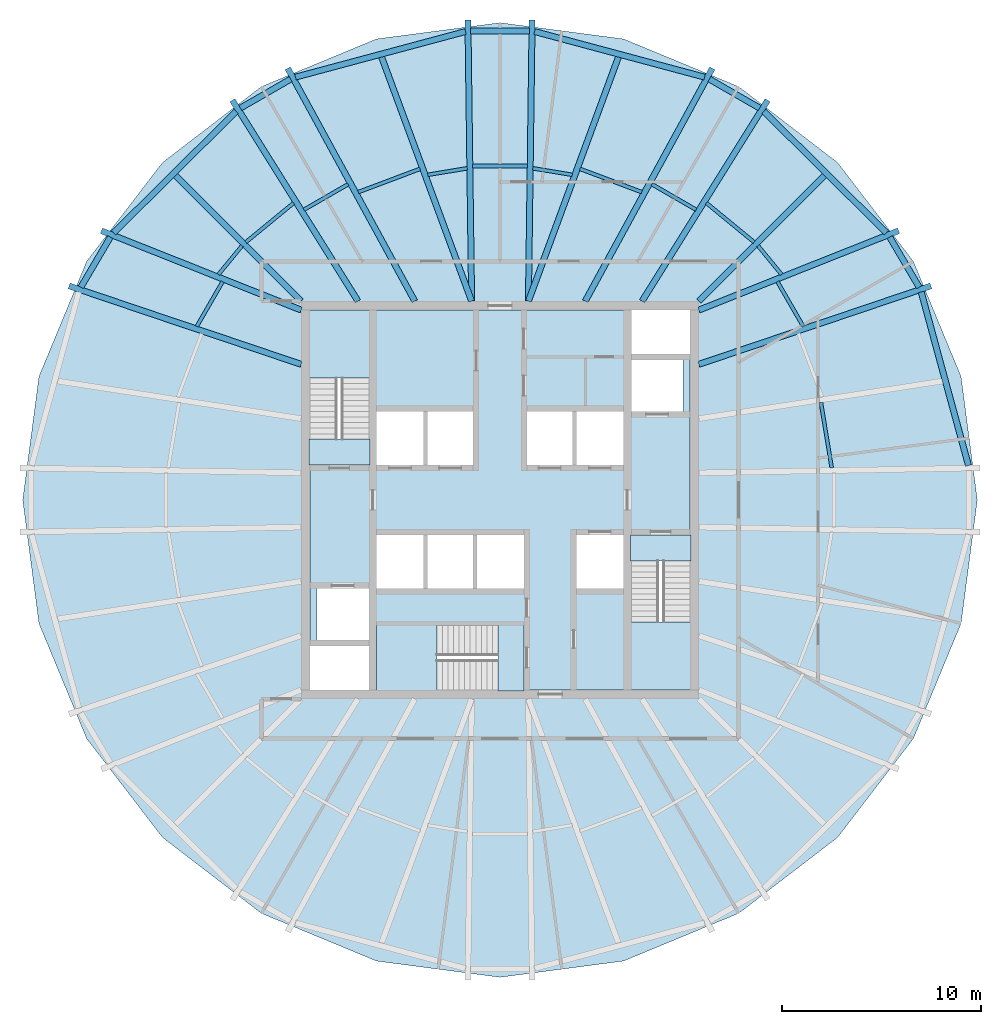
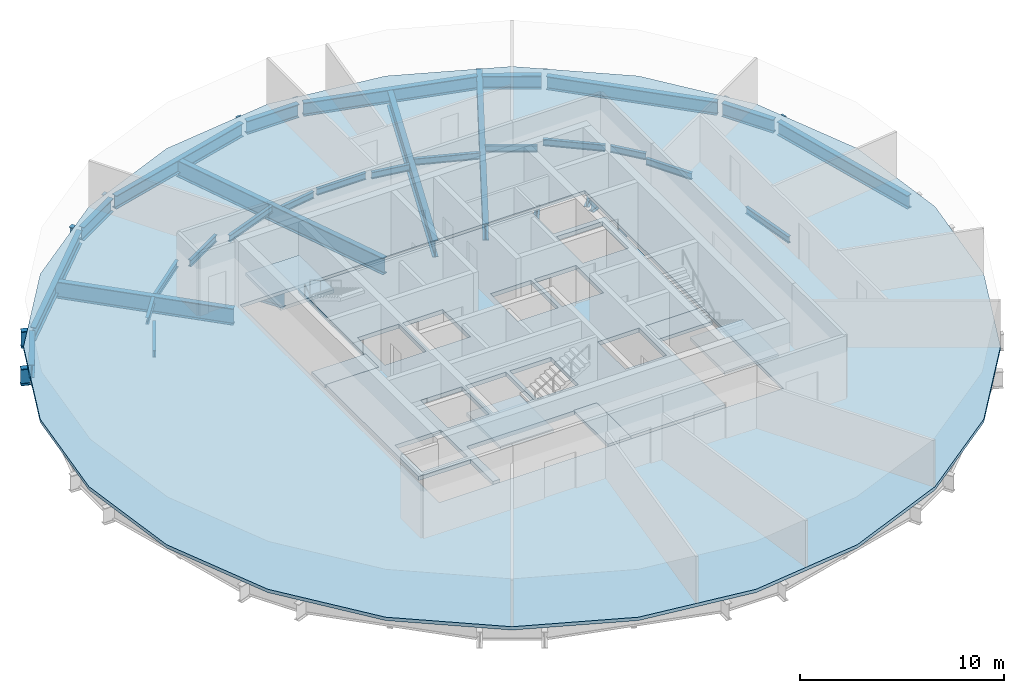
# One storey, part 2 of 6: 38 beams, 8 slabs, 3 elements without a shape of their own.
"""IFC4 building model written with IfcOpenShell, lengths in metres."""

from ifc_helpers import new_model, si_unit, direction, frame, origin, origin_2d, place, context, subcontext, project, spatial, polyline, i_section, outline, extrude, material, layer, layer_set, material_profile, profile_set, type_object, element, aggregate, save


model = new_model("IFC4")

# Units and contexts
model_context = context("Model", 3, precision=1e-05, world=origin(), true_north=direction((0.0, 1.0)))
body_context = subcontext(model_context, "Body", "Model", "MODEL_VIEW")
ifc_project = project(units=[si_unit("LENGTHUNIT", "METRE"), si_unit("AREAUNIT", "SQUARE_METRE"), si_unit("VOLUMEUNIT", "CUBIC_METRE"), si_unit("PLANEANGLEUNIT", "RADIAN"), si_unit("MASSUNIT", "GRAM", prefix="KILO")], contexts=[model_context])

# Site, building, storey
site_placement = place(None, origin())
site = spatial("IfcSite", under=ifc_project, at=site_placement, CompositionType="ELEMENT")
building_placement = place(site_placement, origin())
building = spatial("IfcBuilding", under=site, at=building_placement, Name="Golbaran Civic Tower", CompositionType="ELEMENT")
storey_placement = place(building_placement, frame((0.0, 0.0, 179.0)))
storey = spatial("IfcBuildingStorey", under=building, at=storey_placement, Name="L43", CompositionType="ELEMENT", Elevation=179.0)

# Beams
ifc_material_1 = material(Name="Steel S355", Category="steel")
ifc_material_profile_1 = material_profile(ifc_material_1, i_section(OverallWidth=0.300048828125, OverallDepth=0.800048828125, WebThickness=0.017578125, FlangeThickness=0.032958984375, FilletRadius=0.030029296875, at=origin_2d()), Name="HEB 800")
ifc_profile_set_1 = profile_set([ifc_material_profile_1], Name="Steel S355")
beam_type_1 = type_object("IfcBeamType", Name="EDGE BEAM HEB 800", PredefinedType="BEAM", material=ifc_profile_set_1)
beam_1_placement = place(storey_placement, frame((23.557373046875, 1.73193359375, -0.60009765625), z_axis=(-0.262877631047, 0.96482918234, 0.0), x_axis=(-0.96482918234, -0.262877631047, 0.0)))
element("IfcBeam", 1, at=beam_1_placement, inside=storey, type_object=beam_type_1, Name="Edge beam 3.76 L43", PredefinedType="BEAM", context=body_context, shape_type="SweptSolid", body=[
    extrude(i_section(OverallWidth=0.300048828125, OverallDepth=0.800048828125, WebThickness=0.017578125, FlangeThickness=0.032958984375, FilletRadius=0.030029296875, at=origin_2d()), origin(), (0.0, 0.0, 1.0), 9.046630859375),
])
beam_2_placement = place(storey_placement, frame((21.07763671875, 10.700439453125, -0.60009765625), z_axis=(-0.506888784993, 0.862011461436, 0.0), x_axis=(-0.862011461436, -0.506888784993, 0.0)))
element("IfcBeam", 2, at=beam_2_placement, inside=storey, type_object=beam_type_1, Name="Edge beam 26.24 L43", PredefinedType="BEAM", context=body_context, shape_type="SweptSolid", body=[
    extrude(i_section(OverallWidth=0.300048828125, OverallDepth=0.800048828125, WebThickness=0.017578125, FlangeThickness=0.032958984375, FilletRadius=0.030029296875, at=origin_2d()), origin(), (0.0, 0.0, 1.0), 2.924560546875),
])
beam_3_placement = place(storey_placement, frame((19.427734375, 13.4345703125, -0.60009765625), z_axis=(-0.710095375791, 0.704105501527, 0.0), x_axis=(-0.704105501527, -0.710095375791, 0.0)))
element("IfcBeam", 3, at=beam_3_placement, inside=storey, type_object=beam_type_1, Name="Edge beam 33.76 L43", PredefinedType="BEAM", context=body_context, shape_type="SweptSolid", body=[
    extrude(i_section(OverallWidth=0.300048828125, OverallDepth=0.800048828125, WebThickness=0.017578125, FlangeThickness=0.032958984375, FilletRadius=0.030029296875, at=origin_2d()), origin(), (0.0, 0.0, 1.0), 8.681640625),
])
beam_4_placement = place(storey_placement, frame((13.0556640625, 19.706298828125, -0.60009765625), z_axis=(-0.866150770272, 0.49978279598, 0.0), x_axis=(-0.49978279598, -0.866150770272, 0.0)))
element("IfcBeam", 4, at=beam_4_placement, inside=storey, type_object=beam_type_1, Name="Edge beam 56.24 L43", PredefinedType="BEAM", context=body_context, shape_type="SweptSolid", body=[
    extrude(i_section(OverallWidth=0.300048828125, OverallDepth=0.800048828125, WebThickness=0.017578125, FlangeThickness=0.032958984375, FilletRadius=0.030029296875, at=origin_2d()), origin(), (0.0, 0.0, 1.0), 2.918701171875),
])
beam_5_placement = place(storey_placement, frame((10.28564453125, 21.2646484375, -0.60009765625), z_axis=(-0.965860346356, 0.259063296007, 0.0), x_axis=(-0.259063296007, -0.965860346356, 0.0)))
element("IfcBeam", 5, at=beam_5_placement, inside=storey, type_object=beam_type_1, Name="Edge beam 63.76 L43", PredefinedType="BEAM", context=body_context, shape_type="SweptSolid", body=[
    extrude(i_section(OverallWidth=0.300048828125, OverallDepth=0.800048828125, WebThickness=0.017578125, FlangeThickness=0.032958984375, FilletRadius=0.030029296875, at=origin_2d()), origin(), (0.0, 0.0, 1.0), 8.85107421875),
])
beam_6_placement = place(storey_placement, frame((1.477294921875, 23.59228515625, -0.60009765625), z_axis=(-1.0, 0.0, 0.0), x_axis=(0.0, -1.0, 0.0)))
element("IfcBeam", 6, at=beam_6_placement, inside=storey, type_object=beam_type_1, Name="Edge beam 86.24 L43", PredefinedType="BEAM", context=body_context, shape_type="SweptSolid", body=[
    extrude(i_section(OverallWidth=0.300048828125, OverallDepth=0.800048828125, WebThickness=0.017578125, FlangeThickness=0.032958984375, FilletRadius=0.030029296875, at=origin_2d()), origin(), (0.0, 0.0, 1.0), 2.95458984375),
])
beam_7_placement = place(storey_placement, frame((-1.73681640625, 23.5576171875, -0.60009765625), z_axis=(-0.965860346356, -0.259063296007, 0.0), x_axis=(0.259063296007, -0.965860346356, 0.0)))
element("IfcBeam", 7, at=beam_7_placement, inside=storey, type_object=beam_type_1, Name="Edge beam 93.76 L43", PredefinedType="BEAM", context=body_context, shape_type="SweptSolid", body=[
    extrude(i_section(OverallWidth=0.300048828125, OverallDepth=0.800048828125, WebThickness=0.017578125, FlangeThickness=0.032958984375, FilletRadius=0.030029296875, at=origin_2d()), origin(), (0.0, 0.0, 1.0), 8.85107421875),
])
beam_8_placement = place(storey_placement, frame((-10.527587890625, 21.1650390625, -0.60009765625), z_axis=(-0.866150770272, -0.49978279598, 0.0), x_axis=(0.49978279598, -0.866150770272, 0.0)))
element("IfcBeam", 8, at=beam_8_placement, inside=storey, type_object=beam_type_1, Name="Edge beam 116.24 L43", PredefinedType="BEAM", context=body_context, shape_type="SweptSolid", body=[
    extrude(i_section(OverallWidth=0.300048828125, OverallDepth=0.800048828125, WebThickness=0.017578125, FlangeThickness=0.032958984375, FilletRadius=0.030029296875, at=origin_2d()), origin(), (0.0, 0.0, 1.0), 2.918701171875),
])
beam_9_placement = place(storey_placement, frame((-13.262939453125, 19.54736328125, -0.60009765625), z_axis=(-0.710095375791, -0.704105501527, 0.0), x_axis=(0.704105501527, -0.710095375791, 0.0)))
element("IfcBeam", 9, at=beam_9_placement, inside=storey, type_object=beam_type_1, Name="Edge beam 123.76 L43", PredefinedType="BEAM", context=body_context, shape_type="SweptSolid", body=[
    extrude(i_section(OverallWidth=0.300048828125, OverallDepth=0.800048828125, WebThickness=0.017578125, FlangeThickness=0.032958984375, FilletRadius=0.030029296875, at=origin_2d()), origin(), (0.0, 0.0, 1.0), 8.681640625),
])
beam_10_placement = place(storey_placement, frame((-19.59521484375, 13.221435546875, -0.60009765625), z_axis=(-0.506888784993, -0.862011461436, 0.0), x_axis=(0.862011461436, -0.506888784993, 0.0)))
element("IfcBeam", 10, at=beam_10_placement, inside=storey, type_object=beam_type_1, Name="Edge beam 146.24 L43", PredefinedType="BEAM", context=body_context, shape_type="SweptSolid", body=[
    extrude(i_section(OverallWidth=0.300048828125, OverallDepth=0.800048828125, WebThickness=0.017578125, FlangeThickness=0.032958984375, FilletRadius=0.030029296875, at=origin_2d()), origin(), (0.0, 0.0, 1.0), 2.924560546875),
])
ifc_material_profile_2 = material_profile(ifc_material_1, i_section(OverallWidth=0.179931640625, OverallDepth=0.39990234375, WebThickness=0.008544921875, FlangeThickness=0.013427734375, FilletRadius=0.02099609375, at=origin_2d()), Name="IPE 400")
ifc_profile_set_2 = profile_set([ifc_material_profile_2], Name="Steel S355")
beam_type_2 = type_object("IfcBeamType", Name="FLOOR INFILL BEAM IPE 400", PredefinedType="BEAM", material=ifc_profile_set_2)
beam_11_placement = place(storey_placement, frame((16.68115234375, 1.611328125, -0.39990234375), z_axis=(-0.162964258479, 0.986631973158, 0.0), x_axis=(-0.986631973158, -0.162964258479, 0.0)))
element("IfcBeam", 11, at=beam_11_placement, inside=storey, type_object=beam_type_2, Name="Infill beam 9.38 L43", PredefinedType="BEAM", context=body_context, shape_type="SweptSolid", body=[
    extrude(i_section(OverallWidth=0.179931640625, OverallDepth=0.39990234375, WebThickness=0.008544921875, FlangeThickness=0.013427734375, FilletRadius=0.02099609375, at=origin_2d()), origin(), (0.0, 0.0, 1.0), 3.33935546875),
])
beam_12_placement = place(storey_placement, frame((15.24755859375, 8.731201171875, -0.39990234375), z_axis=(-0.499953160165, 0.866052445087, 0.0), x_axis=(-0.866052445087, -0.499953160165, 0.0)))
element("IfcBeam", 12, at=beam_12_placement, inside=storey, type_object=beam_type_2, Name="Infill beam 30.00 L43", PredefinedType="BEAM", context=body_context, shape_type="SweptSolid", body=[
    extrude(i_section(OverallWidth=0.179931640625, OverallDepth=0.39990234375, WebThickness=0.008544921875, FlangeThickness=0.013427734375, FilletRadius=0.02099609375, at=origin_2d()), origin(), (0.0, 0.0, 1.0), 2.595458984375),
])
beam_13_placement = place(storey_placement, frame((14.157958984375, 11.341552734375, -0.39990234375), z_axis=(-0.634466610089, 0.77295027051, 0.0), x_axis=(-0.77295027051, -0.634466610089, 0.0)))
element("IfcBeam", 13, at=beam_13_placement, inside=storey, type_object=beam_type_2, Name="Infill beam 39.38 L43", PredefinedType="BEAM", context=body_context, shape_type="SweptSolid", body=[
    extrude(i_section(OverallWidth=0.179931640625, OverallDepth=0.39990234375, WebThickness=0.008544921875, FlangeThickness=0.013427734375, FilletRadius=0.02099609375, at=origin_2d()), origin(), (0.0, 0.0, 1.0), 1.87060546875),
])
beam_14_placement = place(storey_placement, frame((12.780517578125, 12.96435546875, -0.39990234375), z_axis=(-0.772968577611, 0.634444306481, 0.0), x_axis=(-0.634444306481, -0.772968577611, 0.0)))
element("IfcBeam", 14, at=beam_14_placement, inside=storey, type_object=beam_type_2, Name="Infill beam 50.62 L43", PredefinedType="BEAM", context=body_context, shape_type="SweptSolid", body=[
    extrude(i_section(OverallWidth=0.179931640625, OverallDepth=0.39990234375, WebThickness=0.008544921875, FlangeThickness=0.013427734375, FilletRadius=0.02099609375, at=origin_2d()), origin(), (0.0, 0.0, 1.0), 3.10546875),
])
beam_15_placement = place(storey_placement, frame((9.861328125, 14.594970703125, -0.39990234375), z_axis=(-0.866019052629, 0.500011000363, 0.0), x_axis=(-0.500011000363, -0.866019052629, 0.0)))
element("IfcBeam", 15, at=beam_15_placement, inside=storey, type_object=beam_type_2, Name="Infill beam 60.00 L43", PredefinedType="BEAM", context=body_context, shape_type="SweptSolid", body=[
    extrude(i_section(OverallWidth=0.179931640625, OverallDepth=0.39990234375, WebThickness=0.008544921875, FlangeThickness=0.013427734375, FilletRadius=0.02099609375, at=origin_2d()), origin(), (0.0, 0.0, 1.0), 2.5634765625),
])
beam_16_placement = place(storey_placement, frame((7.12890625, 15.480712890625, -0.39990234375), z_axis=(-0.935917820676, 0.35221844492, 0.0), x_axis=(-0.35221844492, -0.935917820676, 0.0)))
element("IfcBeam", 16, at=beam_16_placement, inside=storey, type_object=beam_type_2, Name="Infill beam 69.38 L43", PredefinedType="BEAM", context=body_context, shape_type="SweptSolid", body=[
    extrude(i_section(OverallWidth=0.179931640625, OverallDepth=0.39990234375, WebThickness=0.008544921875, FlangeThickness=0.013427734375, FilletRadius=0.02099609375, at=origin_2d()), origin(), (0.0, 0.0, 1.0), 3.322265625),
])
beam_17_placement = place(storey_placement, frame((3.63232421875, 16.352294921875, -0.39990234375), z_axis=(-0.986622441965, 0.163021952545, 0.0), x_axis=(-0.163021952545, -0.986622441965, 0.0)))
element("IfcBeam", 17, at=beam_17_placement, inside=storey, type_object=beam_type_2, Name="Infill beam 80.62 L43", PredefinedType="BEAM", context=body_context, shape_type="SweptSolid", body=[
    extrude(i_section(OverallWidth=0.179931640625, OverallDepth=0.39990234375, WebThickness=0.008544921875, FlangeThickness=0.013427734375, FilletRadius=0.02099609375, at=origin_2d()), origin(), (0.0, 0.0, 1.0), 2.0126953125),
])
beam_18_placement = place(storey_placement, frame((1.387939453125, 16.796142578125, -0.39990234375), z_axis=(-1.0, 0.0, 0.0), x_axis=(0.0, -1.0, 0.0)))
element("IfcBeam", 18, at=beam_18_placement, inside=storey, type_object=beam_type_2, Name="Infill beam 90.00 L43", PredefinedType="BEAM", context=body_context, shape_type="SweptSolid", body=[
    extrude(i_section(OverallWidth=0.179931640625, OverallDepth=0.39990234375, WebThickness=0.008544921875, FlangeThickness=0.013427734375, FilletRadius=0.02099609375, at=origin_2d()), origin(), (0.0, 0.0, 1.0), 2.77587890625),
])
beam_19_placement = place(storey_placement, frame((-1.646484375, 16.680419921875, -0.39990234375), z_axis=(-0.986622441965, -0.163021952545, 0.0), x_axis=(0.163021952545, -0.986622441965, 0.0)))
element("IfcBeam", 19, at=beam_19_placement, inside=storey, type_object=beam_type_2, Name="Infill beam 99.38 L43", PredefinedType="BEAM", context=body_context, shape_type="SweptSolid", body=[
    extrude(i_section(OverallWidth=0.179931640625, OverallDepth=0.39990234375, WebThickness=0.008544921875, FlangeThickness=0.013427734375, FilletRadius=0.02099609375, at=origin_2d()), origin(), (0.0, 0.0, 1.0), 2.0126953125),
])
beam_20_placement = place(storey_placement, frame((-4.01953125, 16.65087890625, -0.39990234375), z_axis=(-0.935917820676, -0.35221844492, 0.0), x_axis=(0.35221844492, -0.935917820676, 0.0)))
element("IfcBeam", 20, at=beam_20_placement, inside=storey, type_object=beam_type_2, Name="Infill beam 110.62 L43", PredefinedType="BEAM", context=body_context, shape_type="SweptSolid", body=[
    extrude(i_section(OverallWidth=0.179931640625, OverallDepth=0.39990234375, WebThickness=0.008544921875, FlangeThickness=0.013427734375, FilletRadius=0.02099609375, at=origin_2d()), origin(), (0.0, 0.0, 1.0), 3.322265625),
])
beam_21_placement = place(storey_placement, frame((-7.641357421875, 15.876708984375, -0.39990234375), z_axis=(-0.866019052629, -0.500011000363, 0.0), x_axis=(0.500011000363, -0.866019052629, 0.0)))
element("IfcBeam", 21, at=beam_21_placement, inside=storey, type_object=beam_type_2, Name="Infill beam 120.00 L43", PredefinedType="BEAM", context=body_context, shape_type="SweptSolid", body=[
    extrude(i_section(OverallWidth=0.179931640625, OverallDepth=0.39990234375, WebThickness=0.008544921875, FlangeThickness=0.013427734375, FilletRadius=0.02099609375, at=origin_2d()), origin(), (0.0, 0.0, 1.0), 2.5634765625),
])
beam_22_placement = place(storey_placement, frame((-10.380126953125, 14.9345703125, -0.39990234375), z_axis=(-0.772968577611, -0.634444306481, 0.0), x_axis=(0.634444306481, -0.772968577611, 0.0)))
element("IfcBeam", 22, at=beam_22_placement, inside=storey, type_object=beam_type_2, Name="Infill beam 129.38 L43", PredefinedType="BEAM", context=body_context, shape_type="SweptSolid", body=[
    extrude(i_section(OverallWidth=0.179931640625, OverallDepth=0.39990234375, WebThickness=0.008544921875, FlangeThickness=0.013427734375, FilletRadius=0.02099609375, at=origin_2d()), origin(), (0.0, 0.0, 1.0), 3.10546875),
])
beam_23_placement = place(storey_placement, frame((-12.97119140625, 12.787353515625, -0.39990234375), z_axis=(-0.634466610089, -0.77295027051, 0.0), x_axis=(0.77295027051, -0.634466610089, 0.0)))
element("IfcBeam", 23, at=beam_23_placement, inside=storey, type_object=beam_type_2, Name="Infill beam 140.62 L43", PredefinedType="BEAM", context=body_context, shape_type="SweptSolid", body=[
    extrude(i_section(OverallWidth=0.179931640625, OverallDepth=0.39990234375, WebThickness=0.008544921875, FlangeThickness=0.013427734375, FilletRadius=0.02099609375, at=origin_2d()), origin(), (0.0, 0.0, 1.0), 1.87060546875),
])
beam_24_placement = place(storey_placement, frame((-13.949951171875, 10.97900390625, -0.39990234375), z_axis=(-0.499953160165, -0.866052445087, 0.0), x_axis=(0.866052445087, -0.499953160165, 0.0)))
element("IfcBeam", 24, at=beam_24_placement, inside=storey, type_object=beam_type_2, Name="Infill beam 150.00 L43", PredefinedType="BEAM", context=body_context, shape_type="SweptSolid", body=[
    extrude(i_section(OverallWidth=0.179931640625, OverallDepth=0.39990234375, WebThickness=0.008544921875, FlangeThickness=0.013427734375, FilletRadius=0.02099609375, at=origin_2d()), origin(), (0.0, 0.0, 1.0), 2.595458984375),
])
ifc_material_profile_3 = material_profile(ifc_material_1, i_section(OverallWidth=0.300048828125, OverallDepth=1.0, WebThickness=0.01904296875, FlangeThickness=0.035888671875, FilletRadius=0.030029296875, at=origin_2d()), Name="HEB 1000")
ifc_profile_set_3 = profile_set([ifc_material_profile_3], Name="Steel S355")
beam_type_3 = type_object("IfcBeamType", Name="RADIAL FLOOR BEAM HEB 1000", PredefinedType="BEAM", material=ifc_profile_set_3)
beam_25_placement = place(storey_placement, frame((10.0, 6.821533203125, -0.7099609375), z_axis=(0.947412886185, 0.320013785783, 0.0), x_axis=(-0.320013785783, 0.947412886185, 0.0)))
element("IfcBeam", 25, at=beam_25_placement, inside=storey, type_object=beam_type_3, Name="Radial beam 26.24 L43", PredefinedType="BEAM", context=body_context, shape_type="SweptSolid", body=[
    extrude(i_section(OverallWidth=0.300048828125, OverallDepth=1.0, WebThickness=0.01904296875, FlangeThickness=0.035888671875, FilletRadius=0.030029296875, at=origin_2d()), origin(), (0.0, 0.0, 1.0), 12.31494140625),
])
beam_26_placement = place(storey_placement, frame((10.0, 9.550048828125, -0.7099609375), z_axis=(0.929366846238, 0.369157507188, 0.0), x_axis=(-0.369157507188, 0.929366846238, 0.0)))
element("IfcBeam", 26, at=beam_26_placement, inside=storey, type_object=beam_type_3, Name="Radial beam 33.76 L43", PredefinedType="BEAM", context=body_context, shape_type="SweptSolid", body=[
    extrude(i_section(OverallWidth=0.300048828125, OverallDepth=1.0, WebThickness=0.01904296875, FlangeThickness=0.035888671875, FilletRadius=0.030029296875, at=origin_2d()), origin(), (0.0, 0.0, 1.0), 10.8056640625),
])
beam_27_placement = place(storey_placement, frame((7.142822265625, 10.0, -0.7099609375), z_axis=(0.529974990814, 0.848013271778, 0.0), x_axis=(-0.848013271778, 0.529974990814, 0.0)))
element("IfcBeam", 27, at=beam_27_placement, inside=storey, type_object=beam_type_3, Name="Radial beam 56.24 L43", PredefinedType="BEAM", context=body_context, shape_type="SweptSolid", body=[
    extrude(i_section(OverallWidth=0.300048828125, OverallDepth=1.0, WebThickness=0.01904296875, FlangeThickness=0.035888671875, FilletRadius=0.030029296875, at=origin_2d()), origin(), (0.0, 0.0, 1.0), 11.912353515625),
])
beam_28_placement = place(storey_placement, frame((4.28564453125, 10.0, -0.7099609375), z_axis=(0.479076563004, 0.877773118055, 0.0), x_axis=(-0.877773118055, 0.479076563004, 0.0)))
element("IfcBeam", 28, at=beam_28_placement, inside=storey, type_object=beam_type_3, Name="Radial beam 63.76 L43", PredefinedType="BEAM", context=body_context, shape_type="SweptSolid", body=[
    extrude(i_section(OverallWidth=0.300048828125, OverallDepth=1.0, WebThickness=0.01904296875, FlangeThickness=0.035888671875, FilletRadius=0.030029296875, at=origin_2d()), origin(), (0.0, 0.0, 1.0), 13.3369140625),
])
for number, where, z_axis, x_axis, name in (
    (29, (1.428466796875, 10.0, -0.7099609375), (0.013159709431, 0.999913407275, 0.0), (-0.999913407275, 0.013159709431, 0.0), "Radial beam 86.24 L43"),
    (30, (-1.428466796875, 10.0, -0.7099609375), (-0.013159709431, 0.999913407275, 0.0), (-0.999913407275, -0.013159709431, 0.0), "Radial beam 93.76 L43"),
):
    element("IfcBeam", number, at=place(storey_placement, frame(where, z_axis=z_axis, x_axis=x_axis)), inside=storey, type_object=beam_type_3, Name=name, PredefinedType="BEAM", context=body_context, shape_type="SweptSolid", body=[
        extrude(i_section(OverallWidth=0.300048828125, OverallDepth=1.0, WebThickness=0.01904296875, FlangeThickness=0.035888671875, FilletRadius=0.030029296875, at=origin_2d()), origin(), (0.0, 0.0, 1.0), 14.13671875),
    ])
beam_29_placement = place(storey_placement, frame((-4.28564453125, 10.0, -0.7099609375), z_axis=(-0.479076563004, 0.877773118055, 0.0), x_axis=(-0.877773118055, -0.479076563004, 0.0)))
element("IfcBeam", 31, at=beam_29_placement, inside=storey, type_object=beam_type_3, Name="Radial beam 116.24 L43", PredefinedType="BEAM", context=body_context, shape_type="SweptSolid", body=[
    extrude(i_section(OverallWidth=0.300048828125, OverallDepth=1.0, WebThickness=0.01904296875, FlangeThickness=0.035888671875, FilletRadius=0.030029296875, at=origin_2d()), origin(), (0.0, 0.0, 1.0), 13.3369140625),
])
beam_30_placement = place(storey_placement, frame((-7.142822265625, 10.0, -0.7099609375), z_axis=(-0.529974990814, 0.848013271778, 0.0), x_axis=(-0.848013271778, -0.529974990814, 0.0)))
element("IfcBeam", 32, at=beam_30_placement, inside=storey, type_object=beam_type_3, Name="Radial beam 123.76 L43", PredefinedType="BEAM", context=body_context, shape_type="SweptSolid", body=[
    extrude(i_section(OverallWidth=0.300048828125, OverallDepth=1.0, WebThickness=0.01904296875, FlangeThickness=0.035888671875, FilletRadius=0.030029296875, at=origin_2d()), origin(), (0.0, 0.0, 1.0), 11.912353515625),
])
beam_31_placement = place(storey_placement, frame((-10.0, 9.550048828125, -0.7099609375), z_axis=(-0.929366846238, 0.369157507188, 0.0), x_axis=(-0.369157507188, -0.929366846238, 0.0)))
element("IfcBeam", 33, at=beam_31_placement, inside=storey, type_object=beam_type_3, Name="Radial beam 146.24 L43", PredefinedType="BEAM", context=body_context, shape_type="SweptSolid", body=[
    extrude(i_section(OverallWidth=0.300048828125, OverallDepth=1.0, WebThickness=0.01904296875, FlangeThickness=0.035888671875, FilletRadius=0.030029296875, at=origin_2d()), origin(), (0.0, 0.0, 1.0), 10.8056640625),
])
beam_32_placement = place(storey_placement, frame((-10.0, 6.821533203125, -0.7099609375), z_axis=(-0.947412886185, 0.320013785783, 0.0), x_axis=(-0.320013785783, -0.947412886185, 0.0)))
element("IfcBeam", 34, at=beam_32_placement, inside=storey, type_object=beam_type_3, Name="Radial beam 153.76 L43", PredefinedType="BEAM", context=body_context, shape_type="SweptSolid", body=[
    extrude(i_section(OverallWidth=0.300048828125, OverallDepth=1.0, WebThickness=0.01904296875, FlangeThickness=0.035888671875, FilletRadius=0.030029296875, at=origin_2d()), origin(), (0.0, 0.0, 1.0), 12.31494140625),
])
ifc_material_profile_4 = material_profile(ifc_material_1, i_section(OverallWidth=0.300048828125, OverallDepth=1.0, WebThickness=0.01904296875, FlangeThickness=0.035888671875, FilletRadius=0.030029296875, at=origin_2d()), Name="HEB 1000")
ifc_profile_set_4 = profile_set([ifc_material_profile_4], Name="Steel S355")
beam_type_4 = type_object("IfcBeamType", Name="SECONDARY FLOOR BEAM HEB 1000", PredefinedType="BEAM", material=ifc_profile_set_4)
beam_33_placement = place(storey_placement, frame((10.0, 10.0, -0.7099609375), z_axis=(0.707106781187, 0.707106781187, 0.0), x_axis=(-0.707106781187, 0.707106781187, 0.0)))
element("IfcBeam", 35, at=beam_33_placement, inside=storey, type_object=beam_type_4, Name="Secondary beam 45.00 L43", PredefinedType="BEAM", context=body_context, shape_type="SweptSolid", body=[
    extrude(i_section(OverallWidth=0.300048828125, OverallDepth=1.0, WebThickness=0.01904296875, FlangeThickness=0.035888671875, FilletRadius=0.030029296875, at=origin_2d()), origin(), (0.0, 0.0, 1.0), 9.0771484375),
])
for number, where, z_axis, x_axis, name in (
    (36, (1.428466796875, 10.0, -0.7099609375), (0.345961049307, 0.938248875492, 0.0), (-0.938248875492, 0.345961049307, 0.0), "Secondary beam 75.00 L43"),
    (37, (-1.428466796875, 10.0, -0.7099609375), (-0.345961049307, 0.938248875492, 0.0), (-0.938248875492, -0.345961049307, 0.0), "Secondary beam 105.00 L43"),
):
    element("IfcBeam", number, at=place(storey_placement, frame(where, z_axis=z_axis, x_axis=x_axis)), inside=storey, type_object=beam_type_4, Name=name, PredefinedType="BEAM", context=body_context, shape_type="SweptSolid", body=[
        extrude(i_section(OverallWidth=0.300048828125, OverallDepth=1.0, WebThickness=0.01904296875, FlangeThickness=0.035888671875, FilletRadius=0.030029296875, at=origin_2d()), origin(), (0.0, 0.0, 1.0), 13.2294921875),
    ])
beam_34_placement = place(storey_placement, frame((-10.0, 10.0, -0.7099609375), z_axis=(-0.707106781187, 0.707106781187, 0.0), x_axis=(-0.707106781187, -0.707106781187, 0.0)))
element("IfcBeam", 38, at=beam_34_placement, inside=storey, type_object=beam_type_4, Name="Secondary beam 135.00 L43", PredefinedType="BEAM", context=body_context, shape_type="SweptSolid", body=[
    extrude(i_section(OverallWidth=0.300048828125, OverallDepth=1.0, WebThickness=0.01904296875, FlangeThickness=0.035888671875, FilletRadius=0.030029296875, at=origin_2d()), origin(), (0.0, 0.0, 1.0), 9.0771484375),
])

# Slabs
ifc_material_2 = material(Name="Concrete LC30/33 lightweight on steel deck", Category="concrete")
ifc_layer_1 = layer(ifc_material_2, 0.199951171875, Name="Concrete LC30/33 lightweight on steel deck")
ifc_layer_set_1 = layer_set([ifc_layer_1], Name="Concrete LC30/33 lightweight on steel deck")
slab_type_1 = type_object("IfcSlabType", Name="COMPOSITE FLOOR SLAB 200", PredefinedType="FLOOR", material=ifc_layer_set_1)
slab_1_placement = place(storey_placement, frame((0.0, 0.0, -0.199951171875)))
element("IfcSlab", 39, at=slab_1_placement, inside=storey, type_object=slab_type_1, Name="Floor slab L43", PredefinedType="FLOOR", context=body_context, shape_type="SweptSolid", body=[
    extrude(outline(polyline([(20.78662109375, -12.001220703125), (16.97216796875, -16.97216796875), (12.001220703125, -20.78662109375), (6.212158203125, -23.1845703125), (0.0, -24.002197265625), (-6.212158203125, -23.1845703125), (-12.001220703125, -20.78662109375), (-16.97216796875, -16.97216796875), (-20.78662109375, -12.001220703125), (-23.1845703125, -6.212158203125), (-24.002197265625, 0.0), (-23.1845703125, 6.212158203125), (-20.78662109375, 12.001220703125), (-16.97216796875, 16.97216796875), (-12.001220703125, 20.78662109375), (-6.212158203125, 23.1845703125), (0.0, 24.002197265625), (6.212158203125, 23.1845703125), (12.001220703125, 20.78662109375), (16.97216796875, 16.97216796875), (20.78662109375, 12.001220703125), (23.1845703125, 6.212158203125), (24.002197265625, 0.0), (23.1845703125, -6.212158203125), (20.78662109375, -12.001220703125)]), holes=[polyline([(-9.77490234375, 9.77490234375), (-9.77490234375, -9.77490234375), (9.77490234375, -9.77490234375), (9.77490234375, 9.77490234375), (-9.77490234375, 9.77490234375)])]), origin(), (0.0, 0.0, 1.0), 0.199951171875),
])
ifc_material_3 = material(Name="Concrete C35/45", Category="concrete")
ifc_layer_2 = layer(ifc_material_3, 0.25, Name="Concrete C35/45")
ifc_layer_set_2 = layer_set([ifc_layer_2], Name="Concrete C35/45")
slab_type_2 = type_object("IfcSlabType", Name="CORE FLOOR SLAB 250", PredefinedType="FLOOR", material=ifc_layer_set_2)
slab_2_placement = place(storey_placement, frame((0.0, 0.0, -0.25)))
element("IfcSlab", 40, at=slab_2_placement, inside=storey, type_object=slab_type_2, Name="Core floor slab L43", PredefinedType="FLOOR", context=body_context, shape_type="SweptSolid", body=[
    extrude(outline(polyline([(6.60009765625, -1.75), (6.60009765625, -9.550048828125), (1.199951171875, -9.550048828125), (1.199951171875, -6.300048828125), (-6.199951171875, -6.300048828125), (-6.199951171875, -9.550048828125), (-6.60009765625, -9.550048828125), (-6.60009765625, -7.35009765625), (-9.550048828125, -7.35009765625), (-9.550048828125, 1.75), (-6.60009765625, 1.75), (-6.60009765625, 9.550048828125), (6.60009765625, 9.550048828125), (6.60009765625, 7.35009765625), (9.550048828125, 7.35009765625), (9.550048828125, -1.75), (6.60009765625, -1.75)]), holes=[polyline([(9.199951171875, 7.050048828125), (6.60009765625, 7.050048828125), (6.60009765625, 4.449951171875), (9.199951171875, 4.449951171875), (9.199951171875, 7.050048828125)]), polyline([(6.199951171875, -1.75), (3.85009765625, -1.75), (3.85009765625, -4.449951171875), (6.199951171875, -4.449951171875), (6.199951171875, -1.75)]), polyline([(6.199951171875, 4.449951171875), (3.85009765625, 4.449951171875), (3.85009765625, 1.75), (6.199951171875, 1.75), (6.199951171875, 4.449951171875)]), polyline([(3.64990234375, 4.449951171875), (1.35009765625, 4.449951171875), (1.35009765625, 1.75), (3.64990234375, 1.75), (3.64990234375, 4.449951171875)]), polyline([(1.199951171875, -1.75), (-1.14990234375, -1.75), (-1.14990234375, -4.449951171875), (1.199951171875, -4.449951171875), (1.199951171875, -1.75)]), polyline([(-1.35009765625, 4.449951171875), (-3.64990234375, 4.449951171875), (-3.64990234375, 1.75), (-1.35009765625, 1.75), (-1.35009765625, 4.449951171875)]), polyline([(-1.35009765625, -1.75), (-3.64990234375, -1.75), (-3.64990234375, -4.449951171875), (-1.35009765625, -4.449951171875), (-1.35009765625, -1.75)]), polyline([(-3.85009765625, -1.75), (-6.199951171875, -1.75), (-6.199951171875, -4.449951171875), (-3.85009765625, -4.449951171875), (-3.85009765625, -1.75)]), polyline([(-3.85009765625, 4.449951171875), (-6.199951171875, 4.449951171875), (-6.199951171875, 1.75), (-3.85009765625, 1.75), (-3.85009765625, 4.449951171875)]), polyline([(-6.60009765625, -4.449951171875), (-9.199951171875, -4.449951171875), (-9.199951171875, -7.050048828125), (-6.60009765625, -7.050048828125), (-6.60009765625, -4.449951171875)])]), origin(), (0.0, 0.0, 1.0), 0.25),
])

# Stair, slab
stair_type_1 = type_object("IfcStairType", Name="EXIT STAIR 2950 x 7800, 4000 RISE", PredefinedType="HALF_TURN_STAIR", material=ifc_material_3)
stair_1_placement = place(storey_placement, origin())
stair_1 = element("IfcStair", 41, at=stair_1_placement, inside=storey, type_object=stair_type_1, Name="Stair S1 L43", PredefinedType="HALF_TURN_STAIR")
ifc_layer_3 = layer(ifc_material_3, 0.199951171875, Name="Concrete C35/45")
ifc_layer_set_3 = layer_set([ifc_layer_3], Name="Concrete C35/45")
slab_type_3 = type_object("IfcSlabType", Name="STAIR LANDING 200", PredefinedType="LANDING", material=ifc_layer_set_3)
slab_3_placement = place(storey_placement, frame((0.0, 0.0, 1.800048828125)))
slab_3 = element("IfcSlab", 42, at=slab_3_placement, type_object=slab_type_3, Name="ST29578-40 landing 1", PredefinedType="LANDING", context=body_context, shape_type="SweptSolid", body=[
    extrude(outline(polyline([(-9.60009765625, 6.125), (-9.60009765625, 9.550048828125), (-6.550048828125, 9.550048828125), (-6.550048828125, 6.125), (-9.60009765625, 6.125)])), origin(), (0.0, 0.0, 1.0), 0.199951171875),
])
aggregate(stair_1, [slab_3])

# Slab
slab_4_placement = place(storey_placement, frame((0.0, 0.0, -0.199951171875)))
element("IfcSlab", 43, at=slab_4_placement, inside=storey, type_object=slab_type_3, Name="Stair S1 floor landing L43", PredefinedType="LANDING", context=body_context, shape_type="SweptSolid", body=[
    extrude(outline(polyline([(-9.60009765625, 1.75), (-9.60009765625, 3.054931640625), (-6.550048828125, 3.054931640625), (-6.550048828125, 1.75), (-9.60009765625, 1.75)])), origin(), (0.0, 0.0, 1.0), 0.199951171875),
])

# Stair, slab
stair_2_placement = place(storey_placement, origin())
stair_2 = element("IfcStair", 44, at=stair_2_placement, inside=storey, type_object=stair_type_1, Name="Stair S2 L43", PredefinedType="HALF_TURN_STAIR")
slab_5_placement = place(storey_placement, frame((0.0, 0.0, 1.800048828125)))
slab_5 = element("IfcSlab", 45, at=slab_5_placement, type_object=slab_type_3, Name="ST29578-40 landing 1", PredefinedType="LANDING", context=body_context, shape_type="SweptSolid", body=[
    extrude(outline(polyline([(9.60009765625, -6.125), (9.60009765625, -9.550048828125), (6.550048828125, -9.550048828125), (6.550048828125, -6.125), (9.60009765625, -6.125)])), origin(), (0.0, 0.0, 1.0), 0.199951171875),
])
aggregate(stair_2, [slab_5])

# Slab
slab_6_placement = place(storey_placement, frame((0.0, 0.0, -0.199951171875)))
element("IfcSlab", 46, at=slab_6_placement, inside=storey, type_object=slab_type_3, Name="Stair S2 floor landing L43", PredefinedType="LANDING", context=body_context, shape_type="SweptSolid", body=[
    extrude(outline(polyline([(9.60009765625, -1.75), (9.60009765625, -3.054931640625), (6.550048828125, -3.054931640625), (6.550048828125, -1.75), (9.60009765625, -1.75)])), origin(), (0.0, 0.0, 1.0), 0.199951171875),
])

# Stair, slab
stair_type_2 = type_object("IfcStairType", Name="EXIT STAIR 3250 x 7400, 4000 RISE", PredefinedType="HALF_TURN_STAIR", material=ifc_material_3)
stair_3_placement = place(storey_placement, origin())
stair_3 = element("IfcStair", 47, at=stair_3_placement, inside=storey, type_object=stair_type_2, Name="Stair S3 L43", PredefinedType="HALF_TURN_STAIR")
slab_7_placement = place(storey_placement, frame((0.0, 0.0, 1.800048828125)))
slab_7 = element("IfcSlab", 48, at=slab_7_placement, type_object=slab_type_3, Name="ST32574-40 landing 1", PredefinedType="LANDING", context=body_context, shape_type="SweptSolid", body=[
    extrude(outline(polyline([(-3.175048828125, -9.60009765625), (-6.199951171875, -9.60009765625), (-6.199951171875, -6.25), (-3.175048828125, -6.25), (-3.175048828125, -9.60009765625)])), origin(), (0.0, 0.0, 1.0), 0.199951171875),
])
aggregate(stair_3, [slab_7])

# Slab
slab_8_placement = place(storey_placement, frame((0.0, 0.0, -0.199951171875)))
element("IfcSlab", 49, at=slab_8_placement, inside=storey, type_object=slab_type_3, Name="Stair S3 floor landing L43", PredefinedType="LANDING", context=body_context, shape_type="SweptSolid", body=[
    extrude(outline(polyline([(1.199951171875, -9.60009765625), (-0.10498046875, -9.60009765625), (-0.10498046875, -6.25), (1.199951171875, -6.25), (1.199951171875, -9.60009765625)])), origin(), (0.0, 0.0, 1.0), 0.199951171875),
])

save(model, "model.ifc")
